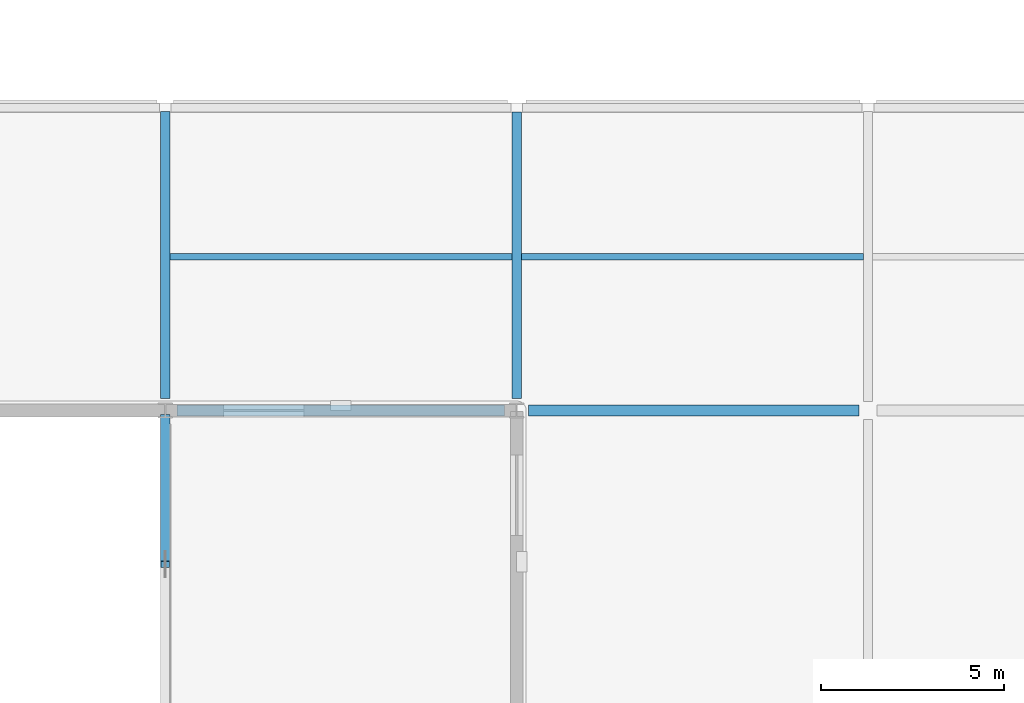
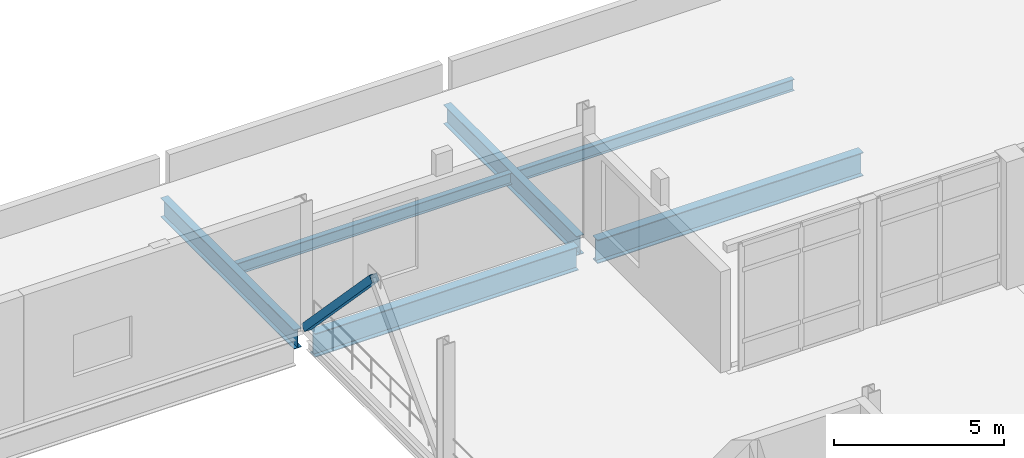
# One storey, part 18 of 52: 6 beams, 1 member.
"""IFC4 building model written with IfcOpenShell, lengths in metres."""

from ifc_helpers import new_model, si_unit, direction, frame, origin, origin_2d, place, context, subcontext, project, spatial, hollow_rectangle, i_section, extrude, material, material_profile, profile_set, type_object, element, save


model = new_model("IFC4")

# Units and contexts
model_context = context("Model", 3, precision=1e-05, world=origin(), true_north=direction((0.0, 1.0)))
body_context = subcontext(model_context, "Body", "Model", "MODEL_VIEW")
ifc_project = project(units=[si_unit("LENGTHUNIT", "METRE"), si_unit("AREAUNIT", "SQUARE_METRE"), si_unit("VOLUMEUNIT", "CUBIC_METRE"), si_unit("PLANEANGLEUNIT", "RADIAN"), si_unit("MASSUNIT", "GRAM", prefix="KILO")], contexts=[model_context])

# Site, building, storey
site_placement = place(None, origin())
site = spatial("IfcSite", under=ifc_project, at=site_placement, CompositionType="ELEMENT")
building_placement = place(site_placement, origin())
building = spatial("IfcBuilding", under=site, at=building_placement, Name="Lornevale Opera House", CompositionType="ELEMENT")
storey_placement = place(building_placement, frame((0.0, 0.0, 15.0)))
storey = spatial("IfcBuildingStorey", under=building, at=storey_placement, Name="L04", CompositionType="ELEMENT", Elevation=15.0)

# Member
ifc_material = material(Name="Structural Steel CSA G40.21 Grade 350W (350 MPa)", Category="steel")
ifc_material_profile_1 = material_profile(ifc_material, hollow_rectangle(XDim=0.25390625, YDim=0.25390625, WallThickness=0.0126953125, at=origin_2d()), Name="HSS254x254x13")
ifc_profile_set_1 = profile_set([ifc_material_profile_1], Name="Structural Steel CSA G40.21 Grade 350W (350 MPa)")
member_type = type_object("IfcMemberType", Name="Stagehouse Lateral Brace HSS254x254x13", PredefinedType="BRACE", material=ifc_profile_set_1)
member_placement = place(storey_placement, frame((96.0, 83.800537109375, 0.10009765625), z_axis=(0.0, -0.691429558906, 0.722443883683), x_axis=(1.0, 0.0, 0.0)))
element("IfcMember", 1, at=member_placement, inside=storey, type_object=member_type, Name="Stagehouse Lateral Brace HSS254x254x13 0123", PredefinedType="BRACE", context=body_context, shape_type="SweptSolid", body=[
    extrude(hollow_rectangle(XDim=0.25390625, YDim=0.25390625, WallThickness=0.0126953125, at=origin_2d()), origin(), (0.0, 0.0, 1.0), 5.785888671875),
])

# Beams
ifc_material_profile_2 = material_profile(ifc_material, i_section(OverallWidth=0.299072265625, OverallDepth=0.845947265625, WebThickness=0.015380859375, FlangeThickness=0.0244140625, at=origin_2d()), Name="W840x210")
ifc_profile_set_2 = profile_set([ifc_material_profile_2], Name="Structural Steel CSA G40.21 Grade 350W (350 MPa)")
beam_type_1 = type_object("IfcBeamType", Name="Steel Clear-Span Girder W840x210", PredefinedType="USERDEFINED", material=ifc_profile_set_2)
beam_1_placement = place(storey_placement, frame((96.324951171875, 84.0, -0.72802734375), z_axis=(1.0, 0.0, 0.0), x_axis=(0.0, 1.0, 0.0)))
element("IfcBeam", 2, at=beam_1_placement, inside=storey, type_object=beam_type_1, Name="Steel Clear-Span Girder W840x210 2548", ObjectType="GIRDER", PredefinedType="USERDEFINED", context=body_context, shape_type="SweptSolid", body=[
    extrude(i_section(OverallWidth=0.299072265625, OverallDepth=0.845947265625, WebThickness=0.015380859375, FlangeThickness=0.0244140625, at=origin_2d()), origin(), (0.0, 0.0, 1.0), 8.949951171875),
])
beam_2_placement = place(storey_placement, frame((105.925048828125, 84.0, -0.72802734375), z_axis=(1.0, 0.0, 0.0), x_axis=(0.0, 1.0, 0.0)))
element("IfcBeam", 3, at=beam_2_placement, inside=storey, type_object=beam_type_1, Name="Steel Clear-Span Girder W840x210 2549", ObjectType="GIRDER", PredefinedType="USERDEFINED", context=body_context, shape_type="SweptSolid", body=[
    extrude(i_section(OverallWidth=0.299072265625, OverallDepth=0.845947265625, WebThickness=0.015380859375, FlangeThickness=0.0244140625, at=origin_2d()), origin(), (0.0, 0.0, 1.0), 9.02490234375),
])
ifc_material_profile_3 = material_profile(ifc_material, i_section(OverallWidth=0.179931640625, OverallDepth=0.4130859375, WebThickness=0.009765625, FlangeThickness=0.01611328125, at=origin_2d()), Name="W410x74")
ifc_profile_set_3 = profile_set([ifc_material_profile_3], Name="Structural Steel CSA G40.21 Grade 350W (350 MPa)")
beam_type_2 = type_object("IfcBeamType", Name="Steel Floor Joist W410x74", PredefinedType="JOIST", material=ifc_profile_set_3)
for number, where, z_axis, x_axis, name in (
    (4, (96.126953125, 88.199951171875, -0.511474609375), (1.0, 0.0, 0.0), (0.0, 1.0, 0.0), "Steel Floor Joist W410x74 2688"),
    (5, (105.72705078125, 88.199951171875, -0.511474609375), (1.0, 0.0, 0.0), (0.0, 1.0, 0.0), "Steel Floor Joist W410x74 2694"),
):
    element("IfcBeam", number, at=place(storey_placement, frame(where, z_axis=z_axis, x_axis=x_axis)), inside=storey, type_object=beam_type_2, Name=name, PredefinedType="JOIST", context=body_context, shape_type="SweptSolid", body=[
        extrude(i_section(OverallWidth=0.179931640625, OverallDepth=0.4130859375, WebThickness=0.009765625, FlangeThickness=0.01611328125, at=origin_2d()), origin(), (0.0, 0.0, 1.0), 9.345947265625),
    ])
ifc_material_profile_4 = material_profile(ifc_material, i_section(OverallWidth=0.25390625, OverallDepth=0.68798828125, WebThickness=0.01318359375, FlangeThickness=0.02099609375, at=origin_2d()), Name="W690x152")
ifc_profile_set_4 = profile_set([ifc_material_profile_4], Name="Structural Steel CSA G40.21 Grade 350W (350 MPa)")
beam_type_3 = type_object("IfcBeamType", Name="Steel Foyer Beam W690x152", PredefinedType="USERDEFINED", material=ifc_profile_set_4)
beam_3_placement = place(storey_placement, frame((96.0, 84.324951171875, -0.64892578125), z_axis=(0.0, 1.0, 0.0), x_axis=(-1.0, 0.0, 0.0)))
element("IfcBeam", 6, at=beam_3_placement, inside=storey, type_object=beam_type_3, Name="Steel Foyer Beam W690x152 2612", ObjectType="GIRDER", PredefinedType="USERDEFINED", context=body_context, shape_type="SweptSolid", body=[
    extrude(i_section(OverallWidth=0.25390625, OverallDepth=0.68798828125, WebThickness=0.01318359375, FlangeThickness=0.02099609375, at=origin_2d()), origin(), (0.0, 0.0, 1.0), 7.85009765625),
])
beam_4_placement = place(storey_placement, frame((105.60009765625, 84.324951171875, -0.64892578125), z_axis=(0.0, 1.0, 0.0), x_axis=(-1.0, 0.0, 0.0)))
element("IfcBeam", 7, at=beam_4_placement, inside=storey, type_object=beam_type_3, Name="Steel Foyer Beam W690x152 2620", ObjectType="GIRDER", PredefinedType="USERDEFINED", context=body_context, shape_type="SweptSolid", body=[
    extrude(i_section(OverallWidth=0.25390625, OverallDepth=0.68798828125, WebThickness=0.01318359375, FlangeThickness=0.02099609375, at=origin_2d()), origin(), (0.0, 0.0, 1.0), 7.824951171875),
])

save(model, "model.ifc")
